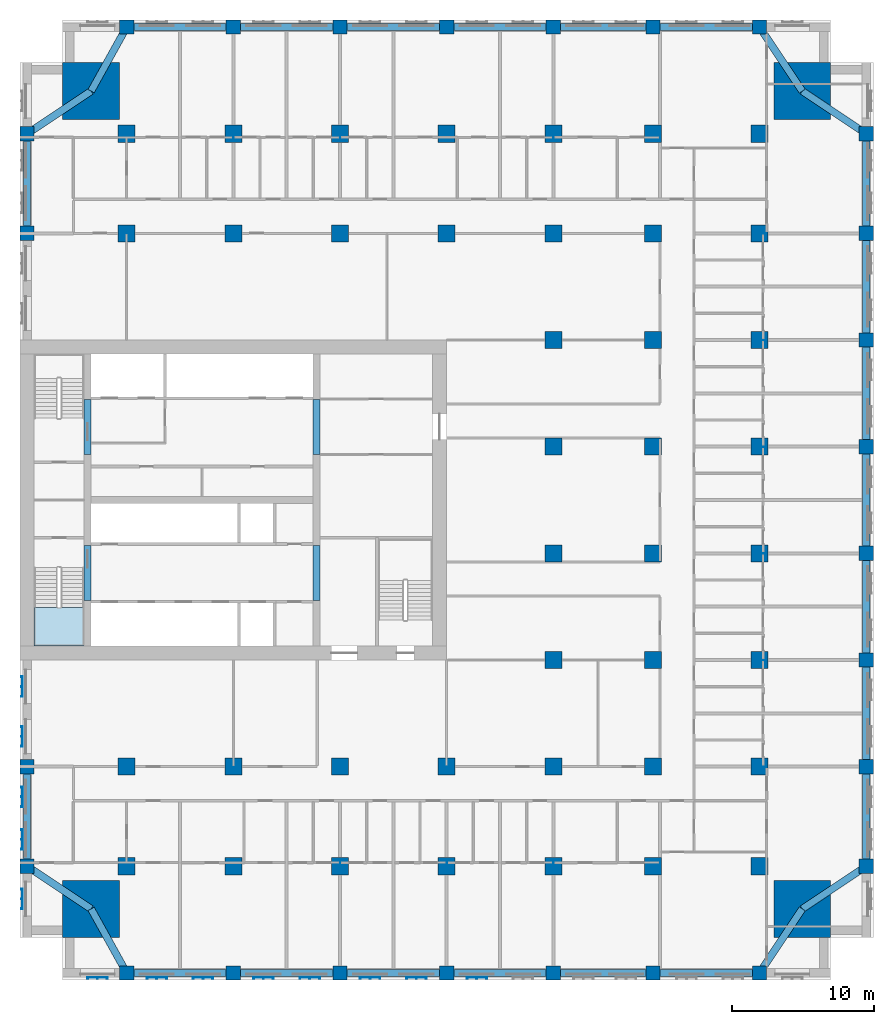
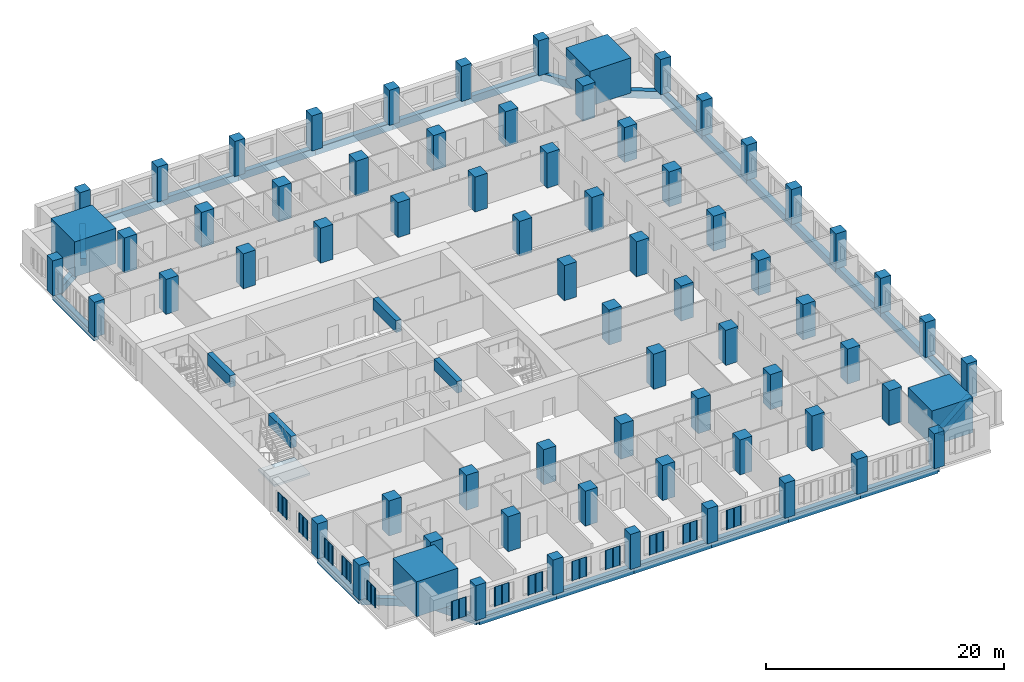
# One storey, part 1 of 15: 70 columns, 33 beams, 13 plates, 1 slab, 1 element without a shape of its own.
"""IFC4 building model written with IfcOpenShell, lengths in metres."""

from ifc_helpers import new_model, si_unit, direction, frame, origin, origin_2d, place, context, subcontext, project, spatial, polyline, rectangle, outline, extrude, material, layer, layer_set, material_profile, profile_set, type_object, element, aggregate, save


model = new_model("IFC4")

# Units and contexts
model_context = context("Model", 3, precision=1e-05, world=origin(), true_north=direction((0.0, 1.0)))
body_context = subcontext(model_context, "Body", "Model", "MODEL_VIEW")
ifc_project = project(units=[si_unit("LENGTHUNIT", "METRE"), si_unit("AREAUNIT", "SQUARE_METRE"), si_unit("VOLUMEUNIT", "CUBIC_METRE"), si_unit("PLANEANGLEUNIT", "RADIAN"), si_unit("MASSUNIT", "GRAM", prefix="KILO")], contexts=[model_context])

# Site, building, storey
site_placement = place(None, origin())
site = spatial("IfcSite", under=ifc_project, at=site_placement, CompositionType="ELEMENT")
building_placement = place(site_placement, origin())
building = spatial("IfcBuilding", under=site, at=building_placement, Name="Tamorin Gate", CompositionType="ELEMENT")
storey_placement = place(building_placement, frame((0.0, 0.0, 48.39990234375)))
storey = spatial("IfcBuildingStorey", under=building, at=storey_placement, Name="L10", CompositionType="ELEMENT", Elevation=48.39990234375)

# Columns
ifc_material_1 = material(Name="Concrete C80/95", Category="concrete")
ifc_material_profile_1 = material_profile(ifc_material_1, rectangle(XDim=1.0, YDim=1.0, at=origin_2d()), Name="RC 1000x1000")
ifc_profile_set_1 = profile_set([ifc_material_profile_1], Name="Concrete C80/95")
column_type_1 = type_object("IfcColumnType", Name="RC column 1000x1000 C80/95", PredefinedType="COLUMN", material=ifc_profile_set_1)
for number, where, z_axis, x_axis, name in (
    (1, (30.5, 45.5, 0.0), (0.0, 0.0, 1.0), (1.0, 0.0, 0.0), "Ring column L10"),
    (2, (30.5, 52.5, 0.0), (0.0, 0.0, 1.0), (1.0, 0.0, 0.0), "Ring column L10"),
    (3, (30.5, 90.0, 0.0), (0.0, 0.0, 1.0), (1.0, 0.0, 0.0), "Ring column L10"),
    (4, (30.5, 97.0, 0.0), (0.0, 0.0, 1.0), (1.0, 0.0, 0.0), "Ring column L10"),
    (5, (37.5, 38.0, 0.0), (0.0, 0.0, 1.0), (1.0, 0.0, 0.0), "Ring column L10"),
    (6, (37.5, 104.5, 0.0), (0.0, 0.0, 1.0), (1.0, 0.0, 0.0), "Ring column L10"),
    (7, (45.0, 38.0, 0.0), (0.0, 0.0, 1.0), (1.0, 0.0, 0.0), "Ring column L10"),
    (8, (45.0, 104.5, 0.0), (0.0, 0.0, 1.0), (1.0, 0.0, 0.0), "Ring column L10"),
    (9, (52.5, 38.0, 0.0), (0.0, 0.0, 1.0), (1.0, 0.0, 0.0), "Ring column L10"),
    (10, (52.5, 104.5, 0.0), (0.0, 0.0, 1.0), (1.0, 0.0, 0.0), "Ring column L10"),
    (11, (60.0, 38.0, 0.0), (0.0, 0.0, 1.0), (1.0, 0.0, 0.0), "Ring column L10"),
    (12, (60.0, 104.5, 0.0), (0.0, 0.0, 1.0), (1.0, 0.0, 0.0), "Ring column L10"),
    (13, (67.5, 38.0, 0.0), (0.0, 0.0, 1.0), (1.0, 0.0, 0.0), "Ring column L10"),
    (14, (67.5, 104.5, 0.0), (0.0, 0.0, 1.0), (1.0, 0.0, 0.0), "Ring column L10"),
    (15, (74.5, 38.0, 0.0), (0.0, 0.0, 1.0), (1.0, 0.0, 0.0), "Ring column L10"),
    (16, (74.5, 104.5, 0.0), (0.0, 0.0, 1.0), (1.0, 0.0, 0.0), "Ring column L10"),
    (17, (82.0, 38.0, 0.0), (0.0, 0.0, 1.0), (1.0, 0.0, 0.0), "Ring column L10"),
    (18, (82.0, 104.5, 0.0), (0.0, 0.0, 1.0), (1.0, 0.0, 0.0), "Ring column L10"),
    (19, (89.5, 45.5, 0.0), (0.0, 0.0, 1.0), (1.0, 0.0, 0.0), "Ring column L10"),
    (20, (89.5, 52.5, 0.0), (0.0, 0.0, 1.0), (1.0, 0.0, 0.0), "Ring column L10"),
    (21, (89.5, 60.0, 0.0), (0.0, 0.0, 1.0), (1.0, 0.0, 0.0), "Ring column L10"),
    (22, (89.5, 67.5, 0.0), (0.0, 0.0, 1.0), (1.0, 0.0, 0.0), "Ring column L10"),
    (23, (89.5, 75.0, 0.0), (0.0, 0.0, 1.0), (1.0, 0.0, 0.0), "Ring column L10"),
    (24, (89.5, 82.5, 0.0), (0.0, 0.0, 1.0), (1.0, 0.0, 0.0), "Ring column L10"),
    (25, (89.5, 90.0, 0.0), (0.0, 0.0, 1.0), (1.0, 0.0, 0.0), "Ring column L10"),
    (26, (89.5, 97.0, 0.0), (0.0, 0.0, 1.0), (1.0, 0.0, 0.0), "Ring column L10"),
):
    element("IfcColumn", number, at=place(storey_placement, frame(where, z_axis=z_axis, x_axis=x_axis)), inside=storey, type_object=column_type_1, Name=name, PredefinedType="COLUMN", context=body_context, shape_type="SweptSolid", body=[
        extrude(rectangle(XDim=1.0, YDim=1.0, at=origin_2d()), origin(), (0.0, 0.0, 1.0), 3.60009765625),
    ])
ifc_material_profile_2 = material_profile(ifc_material_1, rectangle(XDim=1.199951171875, YDim=1.199951171875, at=origin_2d()), Name="RC 1200x1200")
ifc_profile_set_2 = profile_set([ifc_material_profile_2], Name="Concrete C80/95")
column_type_2 = type_object("IfcColumnType", Name="RC column 1200x1200 C80/95", PredefinedType="COLUMN", material=ifc_profile_set_2)
for number, where, z_axis, x_axis, name in (
    (27, (37.5, 45.5, 0.0), (0.0, 0.0, 1.0), (1.0, 0.0, 0.0), "Interior column L10"),
    (28, (37.5, 52.5, 0.0), (0.0, 0.0, 1.0), (1.0, 0.0, 0.0), "Interior column L10"),
    (29, (37.5, 90.0, 0.0), (0.0, 0.0, 1.0), (1.0, 0.0, 0.0), "Interior column L10"),
    (30, (37.5, 97.0, 0.0), (0.0, 0.0, 1.0), (1.0, 0.0, 0.0), "Interior column L10"),
    (31, (45.0, 45.5, 0.0), (0.0, 0.0, 1.0), (1.0, 0.0, 0.0), "Interior column L10"),
    (32, (45.0, 52.5, 0.0), (0.0, 0.0, 1.0), (1.0, 0.0, 0.0), "Interior column L10"),
    (33, (45.0, 90.0, 0.0), (0.0, 0.0, 1.0), (1.0, 0.0, 0.0), "Interior column L10"),
    (34, (45.0, 97.0, 0.0), (0.0, 0.0, 1.0), (1.0, 0.0, 0.0), "Interior column L10"),
    (35, (52.5, 45.5, 0.0), (0.0, 0.0, 1.0), (1.0, 0.0, 0.0), "Interior column L10"),
    (36, (52.5, 52.5, 0.0), (0.0, 0.0, 1.0), (1.0, 0.0, 0.0), "Interior column L10"),
    (37, (52.5, 90.0, 0.0), (0.0, 0.0, 1.0), (1.0, 0.0, 0.0), "Interior column L10"),
    (38, (52.5, 97.0, 0.0), (0.0, 0.0, 1.0), (1.0, 0.0, 0.0), "Interior column L10"),
    (39, (60.0, 45.5, 0.0), (0.0, 0.0, 1.0), (1.0, 0.0, 0.0), "Interior column L10"),
    (40, (60.0, 52.5, 0.0), (0.0, 0.0, 1.0), (1.0, 0.0, 0.0), "Interior column L10"),
    (41, (60.0, 90.0, 0.0), (0.0, 0.0, 1.0), (1.0, 0.0, 0.0), "Interior column L10"),
    (42, (60.0, 97.0, 0.0), (0.0, 0.0, 1.0), (1.0, 0.0, 0.0), "Interior column L10"),
    (43, (67.5, 45.5, 0.0), (0.0, 0.0, 1.0), (1.0, 0.0, 0.0), "Interior column L10"),
    (44, (67.5, 52.5, 0.0), (0.0, 0.0, 1.0), (1.0, 0.0, 0.0), "Interior column L10"),
    (45, (67.5, 60.0, 0.0), (0.0, 0.0, 1.0), (1.0, 0.0, 0.0), "Interior column L10"),
    (46, (67.5, 67.5, 0.0), (0.0, 0.0, 1.0), (1.0, 0.0, 0.0), "Interior column L10"),
    (47, (67.5, 75.0, 0.0), (0.0, 0.0, 1.0), (1.0, 0.0, 0.0), "Interior column L10"),
    (48, (67.5, 82.5, 0.0), (0.0, 0.0, 1.0), (1.0, 0.0, 0.0), "Interior column L10"),
    (49, (67.5, 90.0, 0.0), (0.0, 0.0, 1.0), (1.0, 0.0, 0.0), "Interior column L10"),
    (50, (67.5, 97.0, 0.0), (0.0, 0.0, 1.0), (1.0, 0.0, 0.0), "Interior column L10"),
    (51, (74.5, 45.5, 0.0), (0.0, 0.0, 1.0), (1.0, 0.0, 0.0), "Interior column L10"),
    (52, (74.5, 52.5, 0.0), (0.0, 0.0, 1.0), (1.0, 0.0, 0.0), "Interior column L10"),
    (53, (74.5, 60.0, 0.0), (0.0, 0.0, 1.0), (1.0, 0.0, 0.0), "Interior column L10"),
    (54, (74.5, 67.5, 0.0), (0.0, 0.0, 1.0), (1.0, 0.0, 0.0), "Interior column L10"),
    (55, (74.5, 75.0, 0.0), (0.0, 0.0, 1.0), (1.0, 0.0, 0.0), "Interior column L10"),
    (56, (74.5, 82.5, 0.0), (0.0, 0.0, 1.0), (1.0, 0.0, 0.0), "Interior column L10"),
    (57, (74.5, 90.0, 0.0), (0.0, 0.0, 1.0), (1.0, 0.0, 0.0), "Interior column L10"),
    (58, (74.5, 97.0, 0.0), (0.0, 0.0, 1.0), (1.0, 0.0, 0.0), "Interior column L10"),
    (59, (82.0, 45.5, 0.0), (0.0, 0.0, 1.0), (1.0, 0.0, 0.0), "Interior column L10"),
    (60, (82.0, 52.5, 0.0), (0.0, 0.0, 1.0), (1.0, 0.0, 0.0), "Interior column L10"),
    (61, (82.0, 60.0, 0.0), (0.0, 0.0, 1.0), (1.0, 0.0, 0.0), "Interior column L10"),
    (62, (82.0, 67.5, 0.0), (0.0, 0.0, 1.0), (1.0, 0.0, 0.0), "Interior column L10"),
    (63, (82.0, 75.0, 0.0), (0.0, 0.0, 1.0), (1.0, 0.0, 0.0), "Interior column L10"),
    (64, (82.0, 82.5, 0.0), (0.0, 0.0, 1.0), (1.0, 0.0, 0.0), "Interior column L10"),
    (65, (82.0, 90.0, 0.0), (0.0, 0.0, 1.0), (1.0, 0.0, 0.0), "Interior column L10"),
    (66, (82.0, 97.0, 0.0), (0.0, 0.0, 1.0), (1.0, 0.0, 0.0), "Interior column L10"),
):
    element("IfcColumn", number, at=place(storey_placement, frame(where, z_axis=z_axis, x_axis=x_axis)), inside=storey, type_object=column_type_2, Name=name, PredefinedType="COLUMN", context=body_context, shape_type="SweptSolid", body=[
        extrude(rectangle(XDim=1.199951171875, YDim=1.199951171875, at=origin_2d()), origin(), (0.0, 0.0, 1.0), 3.60009765625),
    ])
ifc_material_profile_3 = material_profile(ifc_material_1, rectangle(XDim=4.0, YDim=4.0, at=origin_2d()), Name="RC 4000x4000")
ifc_profile_set_3 = profile_set([ifc_material_profile_3], Name="Concrete C80/95")
column_type_3 = type_object("IfcColumnType", Name="RC column 4000x4000 C80/95", PredefinedType="COLUMN", material=ifc_profile_set_3)
for number, where, z_axis, x_axis, name in (
    (67, (35.0, 42.5, 0.0), (0.0, 0.0, 1.0), (1.0, 0.0, 0.0), "Mega column SW L10"),
    (68, (85.0, 42.5, 0.0), (0.0, 0.0, 1.0), (1.0, 0.0, 0.0), "Mega column SE L10"),
    (69, (35.0, 100.0, 0.0), (0.0, 0.0, 1.0), (1.0, 0.0, 0.0), "Mega column NW L10"),
    (70, (85.0, 100.0, 0.0), (0.0, 0.0, 1.0), (1.0, 0.0, 0.0), "Mega column NE L10"),
):
    element("IfcColumn", number, at=place(storey_placement, frame(where, z_axis=z_axis, x_axis=x_axis)), inside=storey, type_object=column_type_3, Name=name, PredefinedType="COLUMN", context=body_context, shape_type="SweptSolid", body=[
        extrude(rectangle(XDim=4.0, YDim=4.0, at=origin_2d()), origin(), (0.0, 0.0, 1.0), 3.60009765625),
    ])

# Beams
ifc_material_profile_4 = material_profile(ifc_material_1, rectangle(XDim=0.5, YDim=1.199951171875, at=origin_2d()), Name="RC 500x1200")
ifc_profile_set_4 = profile_set([ifc_material_profile_4], Name="Concrete C80/95")
beam_type_1 = type_object("IfcBeamType", Name="RC coupling beam 500x1200 C80/95", PredefinedType="BEAM", material=ifc_profile_set_4)
for number, where, z_axis, x_axis, name in (
    (71, (34.75, 64.199951171875, 3.0), (0.0, 1.0, 0.0), (-1.0, 0.0, 0.0), "Coupling beam L10"),
    (72, (34.75, 74.449951171875, 3.0), (0.0, 1.0, 0.0), (-1.0, 0.0, 0.0), "Coupling beam L10"),
    (73, (50.85009765625, 64.199951171875, 3.0), (0.0, 1.0, 0.0), (-1.0, 0.0, 0.0), "Coupling beam L10"),
    (74, (50.85009765625, 74.449951171875, 3.0), (0.0, 1.0, 0.0), (-1.0, 0.0, 0.0), "Coupling beam L10"),
):
    element("IfcBeam", number, at=place(storey_placement, frame(where, z_axis=z_axis, x_axis=x_axis)), inside=storey, type_object=beam_type_1, Name=name, PredefinedType="BEAM", context=body_context, shape_type="SweptSolid", body=[
        extrude(rectangle(XDim=0.5, YDim=1.199951171875, at=origin_2d()), origin(), (0.0, 0.0, 1.0), 3.85009765625),
    ])
ifc_material_2 = material(Name="Concrete C50/60", Category="concrete")
ifc_material_profile_5 = material_profile(ifc_material_2, rectangle(XDim=0.5, YDim=0.75, at=origin_2d()), Name="RC 500x750")
ifc_profile_set_5 = profile_set([ifc_material_profile_5], Name="Concrete C50/60")
beam_type_2 = type_object("IfcBeamType", Name="RC spandrel 500x750 C50/60", PredefinedType="BEAM", material=ifc_profile_set_5)
for number, where, z_axis, x_axis, name in (
    (75, (37.5, 38.0, -0.375), (1.0, 0.0, 0.0), (0.0, 1.0, 0.0), "Spandrel beam L10"),
    (76, (45.0, 38.0, -0.375), (1.0, 0.0, 0.0), (0.0, 1.0, 0.0), "Spandrel beam L10"),
    (77, (52.5, 38.0, -0.375), (1.0, 0.0, 0.0), (0.0, 1.0, 0.0), "Spandrel beam L10"),
    (78, (60.0, 38.0, -0.375), (1.0, 0.0, 0.0), (0.0, 1.0, 0.0), "Spandrel beam L10"),
):
    element("IfcBeam", number, at=place(storey_placement, frame(where, z_axis=z_axis, x_axis=x_axis)), inside=storey, type_object=beam_type_2, Name=name, PredefinedType="BEAM", context=body_context, shape_type="SweptSolid", body=[
        extrude(rectangle(XDim=0.5, YDim=0.75, at=origin_2d()), origin(), (0.0, 0.0, 1.0), 7.5),
    ])
beam_1_placement = place(storey_placement, frame((67.5, 38.0, -0.375), z_axis=(1.0, 0.0, 0.0), x_axis=(0.0, 1.0, 0.0)))
element("IfcBeam", 79, at=beam_1_placement, inside=storey, type_object=beam_type_2, Name="Spandrel beam L10", PredefinedType="BEAM", context=body_context, shape_type="SweptSolid", body=[
    extrude(rectangle(XDim=0.5, YDim=0.75, at=origin_2d()), origin(), (0.0, 0.0, 1.0), 7.0),
])
beam_2_placement = place(storey_placement, frame((74.5, 38.0, -0.375), z_axis=(1.0, 0.0, 0.0), x_axis=(0.0, 1.0, 0.0)))
element("IfcBeam", 80, at=beam_2_placement, inside=storey, type_object=beam_type_2, Name="Spandrel beam L10", PredefinedType="BEAM", context=body_context, shape_type="SweptSolid", body=[
    extrude(rectangle(XDim=0.5, YDim=0.75, at=origin_2d()), origin(), (0.0, 0.0, 1.0), 7.5),
])
beam_3_placement = place(storey_placement, frame((89.5, 45.5, -0.375), z_axis=(0.0, 1.0, 0.0), x_axis=(-1.0, 0.0, 0.0)))
element("IfcBeam", 81, at=beam_3_placement, inside=storey, type_object=beam_type_2, Name="Spandrel beam L10", PredefinedType="BEAM", context=body_context, shape_type="SweptSolid", body=[
    extrude(rectangle(XDim=0.5, YDim=0.75, at=origin_2d()), origin(), (0.0, 0.0, 1.0), 7.0),
])
for number, where, z_axis, x_axis, name in (
    (82, (89.5, 52.5, -0.375), (0.0, 1.0, 0.0), (-1.0, 0.0, 0.0), "Spandrel beam L10"),
    (83, (89.5, 60.0, -0.375), (0.0, 1.0, 0.0), (-1.0, 0.0, 0.0), "Spandrel beam L10"),
    (84, (89.5, 67.5, -0.375), (0.0, 1.0, 0.0), (-1.0, 0.0, 0.0), "Spandrel beam L10"),
    (85, (89.5, 75.0, -0.375), (0.0, 1.0, 0.0), (-1.0, 0.0, 0.0), "Spandrel beam L10"),
    (86, (89.5, 82.5, -0.375), (0.0, 1.0, 0.0), (-1.0, 0.0, 0.0), "Spandrel beam L10"),
):
    element("IfcBeam", number, at=place(storey_placement, frame(where, z_axis=z_axis, x_axis=x_axis)), inside=storey, type_object=beam_type_2, Name=name, PredefinedType="BEAM", context=body_context, shape_type="SweptSolid", body=[
        extrude(rectangle(XDim=0.5, YDim=0.75, at=origin_2d()), origin(), (0.0, 0.0, 1.0), 7.5),
    ])
beam_4_placement = place(storey_placement, frame((89.5, 90.0, -0.375), z_axis=(0.0, 1.0, 0.0), x_axis=(-1.0, 0.0, 0.0)))
element("IfcBeam", 87, at=beam_4_placement, inside=storey, type_object=beam_type_2, Name="Spandrel beam L10", PredefinedType="BEAM", context=body_context, shape_type="SweptSolid", body=[
    extrude(rectangle(XDim=0.5, YDim=0.75, at=origin_2d()), origin(), (0.0, 0.0, 1.0), 7.0),
])
beam_5_placement = place(storey_placement, frame((82.0, 104.5, -0.375), z_axis=(-1.0, 0.0, 0.0), x_axis=(0.0, -1.0, 0.0)))
element("IfcBeam", 88, at=beam_5_placement, inside=storey, type_object=beam_type_2, Name="Spandrel beam L10", PredefinedType="BEAM", context=body_context, shape_type="SweptSolid", body=[
    extrude(rectangle(XDim=0.5, YDim=0.75, at=origin_2d()), origin(), (0.0, 0.0, 1.0), 7.5),
])
beam_6_placement = place(storey_placement, frame((74.5, 104.5, -0.375), z_axis=(-1.0, 0.0, 0.0), x_axis=(0.0, -1.0, 0.0)))
element("IfcBeam", 89, at=beam_6_placement, inside=storey, type_object=beam_type_2, Name="Spandrel beam L10", PredefinedType="BEAM", context=body_context, shape_type="SweptSolid", body=[
    extrude(rectangle(XDim=0.5, YDim=0.75, at=origin_2d()), origin(), (0.0, 0.0, 1.0), 7.0),
])
for number, where, z_axis, x_axis, name in (
    (90, (67.5, 104.5, -0.375), (-1.0, 0.0, 0.0), (0.0, -1.0, 0.0), "Spandrel beam L10"),
    (91, (60.0, 104.5, -0.375), (-1.0, 0.0, 0.0), (0.0, -1.0, 0.0), "Spandrel beam L10"),
    (92, (52.5, 104.5, -0.375), (-1.0, 0.0, 0.0), (0.0, -1.0, 0.0), "Spandrel beam L10"),
    (93, (45.0, 104.5, -0.375), (-1.0, 0.0, 0.0), (0.0, -1.0, 0.0), "Spandrel beam L10"),
):
    element("IfcBeam", number, at=place(storey_placement, frame(where, z_axis=z_axis, x_axis=x_axis)), inside=storey, type_object=beam_type_2, Name=name, PredefinedType="BEAM", context=body_context, shape_type="SweptSolid", body=[
        extrude(rectangle(XDim=0.5, YDim=0.75, at=origin_2d()), origin(), (0.0, 0.0, 1.0), 7.5),
    ])
for number, where, z_axis, x_axis, name in (
    (94, (30.5, 97.0, -0.375), (0.0, -1.0, 0.0), (1.0, 0.0, 0.0), "Spandrel beam L10"),
    (95, (30.5, 52.5, -0.375), (0.0, -1.0, 0.0), (1.0, 0.0, 0.0), "Spandrel beam L10"),
):
    element("IfcBeam", number, at=place(storey_placement, frame(where, z_axis=z_axis, x_axis=x_axis)), inside=storey, type_object=beam_type_2, Name=name, PredefinedType="BEAM", context=body_context, shape_type="SweptSolid", body=[
        extrude(rectangle(XDim=0.5, YDim=0.75, at=origin_2d()), origin(), (0.0, 0.0, 1.0), 7.0),
    ])
beam_7_placement = place(storey_placement, frame((35.0, 42.5, -0.375), z_axis=(0.485642931179, -0.874157276122, 0.0), x_axis=(0.874157276122, 0.485642931179, 0.0)))
element("IfcBeam", 96, at=beam_7_placement, inside=storey, type_object=beam_type_2, Name="Corner tie beam L10", PredefinedType="BEAM", context=body_context, shape_type="SweptSolid", body=[
    extrude(rectangle(XDim=0.5, YDim=0.75, at=origin_2d()), origin(), (0.0, 0.0, 1.0), 5.147705078125),
])
for number, where, z_axis, x_axis, name in (
    (97, (35.0, 42.5, -0.375), (-0.832050294338, 0.554700196225, 0.0), (-0.554700196225, -0.832050294338, 0.0), "Corner tie beam L10"),
    (98, (85.0, 42.5, -0.375), (-0.554700196225, -0.832050294338, 0.0), (0.832050294338, -0.554700196225, 0.0), "Corner tie beam L10"),
    (99, (85.0, 42.5, -0.375), (0.832050294338, 0.554700196225, 0.0), (-0.554700196225, 0.832050294338, 0.0), "Corner tie beam L10"),
):
    element("IfcBeam", number, at=place(storey_placement, frame(where, z_axis=z_axis, x_axis=x_axis)), inside=storey, type_object=beam_type_2, Name=name, PredefinedType="BEAM", context=body_context, shape_type="SweptSolid", body=[
        extrude(rectangle(XDim=0.5, YDim=0.75, at=origin_2d()), origin(), (0.0, 0.0, 1.0), 5.408447265625),
    ])
beam_8_placement = place(storey_placement, frame((35.0, 100.0, -0.375), z_axis=(0.485642931179, 0.874157276122, 0.0), x_axis=(-0.874157276122, 0.485642931179, 0.0)))
element("IfcBeam", 100, at=beam_8_placement, inside=storey, type_object=beam_type_2, Name="Corner tie beam L10", PredefinedType="BEAM", context=body_context, shape_type="SweptSolid", body=[
    extrude(rectangle(XDim=0.5, YDim=0.75, at=origin_2d()), origin(), (0.0, 0.0, 1.0), 5.147705078125),
])
for number, where, z_axis, x_axis, name in (
    (101, (35.0, 100.0, -0.375), (-0.832050294338, -0.554700196225, 0.0), (0.554700196225, -0.832050294338, 0.0), "Corner tie beam L10"),
    (102, (85.0, 100.0, -0.375), (-0.554700196225, 0.832050294338, 0.0), (-0.832050294338, -0.554700196225, 0.0), "Corner tie beam L10"),
    (103, (85.0, 100.0, -0.375), (0.832050294338, -0.554700196225, 0.0), (0.554700196225, 0.832050294338, 0.0), "Corner tie beam L10"),
):
    element("IfcBeam", number, at=place(storey_placement, frame(where, z_axis=z_axis, x_axis=x_axis)), inside=storey, type_object=beam_type_2, Name=name, PredefinedType="BEAM", context=body_context, shape_type="SweptSolid", body=[
        extrude(rectangle(XDim=0.5, YDim=0.75, at=origin_2d()), origin(), (0.0, 0.0, 1.0), 5.408447265625),
    ])

# Stair, slab
ifc_material_3 = material(Name="Concrete C40/50", Category="concrete")
stair_type = type_object("IfcStairType", Name="Exit stair", PredefinedType="HALF_TURN_STAIR", material=ifc_material_3)
stair_placement = place(storey_placement, origin())
stair = element("IfcStair", 104, at=stair_placement, inside=storey, type_object=stair_type, Name="L10 stair ST1", PredefinedType="HALF_TURN_STAIR")
ifc_layer_1 = layer(ifc_material_3, 0.199951171875)
ifc_layer_set_1 = layer_set([ifc_layer_1], Name="Exit stair landing 200")
slab_type = type_object("IfcSlabType", Name="Exit stair landing 200", PredefinedType="LANDING", material=ifc_layer_set_1)
slab_placement = place(storey_placement, frame((0.0, 0.0, 1.60009765625)))
slab = element("IfcSlab", 105, at=slab_placement, type_object=slab_type, Name="ST1 landing 1", PredefinedType="LANDING", context=body_context, shape_type="SweptSolid", body=[
    extrude(outline(polyline([(31.0, 63.699951171875), (31.0, 61.0), (34.5, 61.0), (34.5, 63.699951171875), (31.0, 63.699951171875)])), origin(), (0.0, 0.0, 1.0), 0.199951171875),
])
aggregate(stair, [slab])

# Plates
ifc_material_4 = material(Name="Perforated pale aluminium sheet", Category="aluminium")
ifc_layer_2 = layer(ifc_material_4, 0.0400390625)
ifc_layer_set_2 = layer_set([ifc_layer_2], Name="Pale metal solar screen 1440")
plate_type = type_object("IfcPlateType", Name="Pale metal solar screen 1440", PredefinedType="SHEET", material=ifc_layer_set_2)
plate_1_placement = place(storey_placement, frame((0.0, 0.0, 0.710205078125)))
element("IfcPlate", 106, at=plate_1_placement, inside=storey, type_object=plate_type, Name="Perforated solar screen", PredefinedType="SHEET", context=body_context, shape_type="SweptSolid", body=[
    extrude(outline(polyline([(34.72998046875, 37.659912109375), (34.72998046875, 37.699951171875), (34.7900390625, 37.699951171875), (35.419921875, 37.699951171875), (35.47998046875, 37.699951171875), (36.110107421875, 37.699951171875), (36.169921875, 37.699951171875), (36.169921875, 37.659912109375), (36.169921875, 37.60009765625), (36.110107421875, 37.60009765625), (36.110107421875, 37.659912109375), (35.47998046875, 37.659912109375), (35.47998046875, 37.60009765625), (35.419921875, 37.60009765625), (35.419921875, 37.659912109375), (34.7900390625, 37.659912109375), (34.7900390625, 37.60009765625), (34.72998046875, 37.60009765625), (34.72998046875, 37.659912109375)])), origin(), (0.0, 0.0, 1.0), 1.97998046875),
])
plate_2_placement = place(storey_placement, frame((0.0, 0.0, 0.710205078125)))
element("IfcPlate", 107, at=plate_2_placement, inside=storey, type_object=plate_type, Name="Perforated solar screen", PredefinedType="SHEET", context=body_context, shape_type="SweptSolid", body=[
    extrude(outline(polyline([(38.905029296875, 37.659912109375), (38.905029296875, 37.699951171875), (38.965087890625, 37.699951171875), (39.594970703125, 37.699951171875), (39.655029296875, 37.699951171875), (40.284912109375, 37.699951171875), (40.344970703125, 37.699951171875), (40.344970703125, 37.699951171875), (40.344970703125, 37.659912109375), (40.344970703125, 37.659912109375), (40.344970703125, 37.60009765625), (40.284912109375, 37.60009765625), (40.284912109375, 37.659912109375), (39.655029296875, 37.659912109375), (39.655029296875, 37.60009765625), (39.594970703125, 37.60009765625), (39.594970703125, 37.659912109375), (38.965087890625, 37.659912109375), (38.965087890625, 37.60009765625), (38.905029296875, 37.60009765625), (38.905029296875, 37.659912109375)])), origin(), (0.0, 0.0, 1.0), 1.97998046875),
])
plate_3_placement = place(storey_placement, frame((0.0, 0.0, 0.710205078125)))
element("IfcPlate", 108, at=plate_3_placement, inside=storey, type_object=plate_type, Name="Perforated solar screen", PredefinedType="SHEET", context=body_context, shape_type="SweptSolid", body=[
    extrude(outline(polyline([(42.155029296875, 37.659912109375), (42.155029296875, 37.699951171875), (42.215087890625, 37.699951171875), (42.844970703125, 37.699951171875), (42.905029296875, 37.699951171875), (43.534912109375, 37.699951171875), (43.594970703125, 37.699951171875), (43.594970703125, 37.659912109375), (43.594970703125, 37.60009765625), (43.534912109375, 37.60009765625), (43.534912109375, 37.659912109375), (42.905029296875, 37.659912109375), (42.905029296875, 37.60009765625), (42.844970703125, 37.60009765625), (42.844970703125, 37.659912109375), (42.215087890625, 37.659912109375), (42.215087890625, 37.60009765625), (42.155029296875, 37.60009765625), (42.155029296875, 37.659912109375)])), origin(), (0.0, 0.0, 1.0), 1.97998046875),
])
plate_4_placement = place(storey_placement, frame((0.0, 0.0, 0.710205078125)))
element("IfcPlate", 109, at=plate_4_placement, inside=storey, type_object=plate_type, Name="Perforated solar screen", PredefinedType="SHEET", context=body_context, shape_type="SweptSolid", body=[
    extrude(outline(polyline([(46.405029296875, 37.659912109375), (46.405029296875, 37.699951171875), (46.465087890625, 37.699951171875), (47.094970703125, 37.699951171875), (47.155029296875, 37.699951171875), (47.784912109375, 37.699951171875), (47.844970703125, 37.699951171875), (47.844970703125, 37.659912109375), (47.844970703125, 37.60009765625), (47.784912109375, 37.60009765625), (47.784912109375, 37.659912109375), (47.155029296875, 37.659912109375), (47.155029296875, 37.60009765625), (47.094970703125, 37.60009765625), (47.094970703125, 37.659912109375), (46.465087890625, 37.659912109375), (46.465087890625, 37.60009765625), (46.405029296875, 37.60009765625), (46.405029296875, 37.659912109375)])), origin(), (0.0, 0.0, 1.0), 1.97998046875),
])
plate_5_placement = place(storey_placement, frame((0.0, 0.0, 0.710205078125)))
element("IfcPlate", 110, at=plate_5_placement, inside=storey, type_object=plate_type, Name="Perforated solar screen", PredefinedType="SHEET", context=body_context, shape_type="SweptSolid", body=[
    extrude(outline(polyline([(49.655029296875, 37.659912109375), (49.655029296875, 37.699951171875), (49.715087890625, 37.699951171875), (50.344970703125, 37.699951171875), (50.405029296875, 37.699951171875), (51.034912109375, 37.699951171875), (51.094970703125, 37.699951171875), (51.094970703125, 37.659912109375), (51.094970703125, 37.60009765625), (51.034912109375, 37.60009765625), (51.034912109375, 37.659912109375), (50.405029296875, 37.659912109375), (50.405029296875, 37.60009765625), (50.344970703125, 37.60009765625), (50.344970703125, 37.659912109375), (49.715087890625, 37.659912109375), (49.715087890625, 37.60009765625), (49.655029296875, 37.60009765625), (49.655029296875, 37.659912109375)])), origin(), (0.0, 0.0, 1.0), 1.97998046875),
])
plate_6_placement = place(storey_placement, frame((0.0, 0.0, 0.710205078125)))
element("IfcPlate", 111, at=plate_6_placement, inside=storey, type_object=plate_type, Name="Perforated solar screen", PredefinedType="SHEET", context=body_context, shape_type="SweptSolid", body=[
    extrude(outline(polyline([(53.905029296875, 37.659912109375), (53.905029296875, 37.699951171875), (53.965087890625, 37.699951171875), (54.594970703125, 37.699951171875), (54.655029296875, 37.699951171875), (55.284912109375, 37.699951171875), (55.344970703125, 37.699951171875), (55.344970703125, 37.659912109375), (55.344970703125, 37.60009765625), (55.284912109375, 37.60009765625), (55.284912109375, 37.659912109375), (54.655029296875, 37.659912109375), (54.655029296875, 37.60009765625), (54.594970703125, 37.60009765625), (54.594970703125, 37.659912109375), (53.965087890625, 37.659912109375), (53.965087890625, 37.60009765625), (53.905029296875, 37.60009765625), (53.905029296875, 37.659912109375)])), origin(), (0.0, 0.0, 1.0), 1.97998046875),
])
plate_7_placement = place(storey_placement, frame((0.0, 0.0, 0.710205078125)))
element("IfcPlate", 112, at=plate_7_placement, inside=storey, type_object=plate_type, Name="Perforated solar screen", PredefinedType="SHEET", context=body_context, shape_type="SweptSolid", body=[
    extrude(outline(polyline([(57.155029296875, 37.659912109375), (57.155029296875, 37.699951171875), (57.215087890625, 37.699951171875), (57.844970703125, 37.699951171875), (57.905029296875, 37.699951171875), (58.534912109375, 37.699951171875), (58.594970703125, 37.699951171875), (58.594970703125, 37.659912109375), (58.594970703125, 37.60009765625), (58.534912109375, 37.60009765625), (58.534912109375, 37.659912109375), (57.905029296875, 37.659912109375), (57.905029296875, 37.60009765625), (57.844970703125, 37.60009765625), (57.844970703125, 37.659912109375), (57.215087890625, 37.659912109375), (57.215087890625, 37.60009765625), (57.155029296875, 37.60009765625), (57.155029296875, 37.659912109375)])), origin(), (0.0, 0.0, 1.0), 1.97998046875),
])
plate_8_placement = place(storey_placement, frame((0.0, 0.0, 0.710205078125)))
element("IfcPlate", 113, at=plate_8_placement, inside=storey, type_object=plate_type, Name="Perforated solar screen", PredefinedType="SHEET", context=body_context, shape_type="SweptSolid", body=[
    extrude(outline(polyline([(61.405029296875, 37.659912109375), (61.405029296875, 37.699951171875), (61.465087890625, 37.699951171875), (62.094970703125, 37.699951171875), (62.155029296875, 37.699951171875), (62.784912109375, 37.699951171875), (62.844970703125, 37.699951171875), (62.844970703125, 37.659912109375), (62.844970703125, 37.60009765625), (62.784912109375, 37.60009765625), (62.784912109375, 37.659912109375), (62.155029296875, 37.659912109375), (62.155029296875, 37.60009765625), (62.094970703125, 37.60009765625), (62.094970703125, 37.659912109375), (61.465087890625, 37.659912109375), (61.465087890625, 37.60009765625), (61.405029296875, 37.60009765625), (61.405029296875, 37.659912109375)])), origin(), (0.0, 0.0, 1.0), 1.97998046875),
])
plate_9_placement = place(storey_placement, frame((0.0, 0.0, 0.710205078125)))
element("IfcPlate", 114, at=plate_9_placement, inside=storey, type_object=plate_type, Name="Perforated solar screen", PredefinedType="SHEET", context=body_context, shape_type="SweptSolid", body=[
    extrude(outline(polyline([(30.159912109375, 55.344970703125), (30.199951171875, 55.344970703125), (30.199951171875, 55.284912109375), (30.199951171875, 54.655029296875), (30.199951171875, 54.594970703125), (30.199951171875, 53.965087890625), (30.199951171875, 53.905029296875), (30.159912109375, 53.905029296875), (30.10009765625, 53.905029296875), (30.10009765625, 53.965087890625), (30.159912109375, 53.965087890625), (30.159912109375, 54.594970703125), (30.10009765625, 54.594970703125), (30.10009765625, 54.655029296875), (30.159912109375, 54.655029296875), (30.159912109375, 55.284912109375), (30.10009765625, 55.284912109375), (30.10009765625, 55.344970703125), (30.159912109375, 55.344970703125)])), origin(), (0.0, 0.0, 1.0), 1.97998046875),
])
plate_10_placement = place(storey_placement, frame((0.0, 0.0, 0.710205078125)))
element("IfcPlate", 115, at=plate_10_placement, inside=storey, type_object=plate_type, Name="Perforated solar screen", PredefinedType="SHEET", context=body_context, shape_type="SweptSolid", body=[
    extrude(outline(polyline([(30.159912109375, 58.844970703125), (30.199951171875, 58.844970703125), (30.199951171875, 58.784912109375), (30.199951171875, 58.155029296875), (30.199951171875, 58.094970703125), (30.199951171875, 57.465087890625), (30.199951171875, 57.405029296875), (30.159912109375, 57.405029296875), (30.10009765625, 57.405029296875), (30.10009765625, 57.465087890625), (30.159912109375, 57.465087890625), (30.159912109375, 58.094970703125), (30.10009765625, 58.094970703125), (30.10009765625, 58.155029296875), (30.159912109375, 58.155029296875), (30.159912109375, 58.784912109375), (30.10009765625, 58.784912109375), (30.10009765625, 58.844970703125), (30.159912109375, 58.844970703125)])), origin(), (0.0, 0.0, 1.0), 1.97998046875),
])
plate_11_placement = place(storey_placement, frame((0.0, 0.0, 0.710205078125)))
element("IfcPlate", 116, at=plate_11_placement, inside=storey, type_object=plate_type, Name="Perforated solar screen", PredefinedType="SHEET", context=body_context, shape_type="SweptSolid", body=[
    extrude(outline(polyline([(30.159912109375, 48.094970703125), (30.199951171875, 48.094970703125), (30.199951171875, 48.034912109375), (30.199951171875, 47.405029296875), (30.199951171875, 47.344970703125), (30.199951171875, 46.715087890625), (30.199951171875, 46.655029296875), (30.159912109375, 46.655029296875), (30.10009765625, 46.655029296875), (30.10009765625, 46.715087890625), (30.159912109375, 46.715087890625), (30.159912109375, 47.344970703125), (30.10009765625, 47.344970703125), (30.10009765625, 47.405029296875), (30.159912109375, 47.405029296875), (30.159912109375, 48.034912109375), (30.10009765625, 48.034912109375), (30.10009765625, 48.094970703125), (30.159912109375, 48.094970703125)])), origin(), (0.0, 0.0, 1.0), 1.97998046875),
])
plate_12_placement = place(storey_placement, frame((0.0, 0.0, 0.710205078125)))
element("IfcPlate", 117, at=plate_12_placement, inside=storey, type_object=plate_type, Name="Perforated solar screen", PredefinedType="SHEET", context=body_context, shape_type="SweptSolid", body=[
    extrude(outline(polyline([(30.159912109375, 51.094970703125), (30.199951171875, 51.094970703125), (30.199951171875, 51.034912109375), (30.199951171875, 50.405029296875), (30.199951171875, 50.344970703125), (30.199951171875, 49.715087890625), (30.199951171875, 49.655029296875), (30.159912109375, 49.655029296875), (30.10009765625, 49.655029296875), (30.10009765625, 49.715087890625), (30.159912109375, 49.715087890625), (30.159912109375, 50.344970703125), (30.10009765625, 50.344970703125), (30.10009765625, 50.405029296875), (30.159912109375, 50.405029296875), (30.159912109375, 51.034912109375), (30.10009765625, 51.034912109375), (30.10009765625, 51.094970703125), (30.159912109375, 51.094970703125)])), origin(), (0.0, 0.0, 1.0), 1.97998046875),
])
plate_13_placement = place(storey_placement, frame((0.0, 0.0, 0.710205078125)))
element("IfcPlate", 118, at=plate_13_placement, inside=storey, type_object=plate_type, Name="Perforated solar screen", PredefinedType="SHEET", context=body_context, shape_type="SweptSolid", body=[
    extrude(outline(polyline([(30.159912109375, 43.919921875), (30.199951171875, 43.919921875), (30.199951171875, 43.860107421875), (30.199951171875, 43.22998046875), (30.199951171875, 43.169921875), (30.199951171875, 42.5400390625), (30.199951171875, 42.47998046875), (30.159912109375, 42.47998046875), (30.10009765625, 42.47998046875), (30.10009765625, 42.5400390625), (30.159912109375, 42.5400390625), (30.159912109375, 43.169921875), (30.10009765625, 43.169921875), (30.10009765625, 43.22998046875), (30.159912109375, 43.22998046875), (30.159912109375, 43.860107421875), (30.10009765625, 43.860107421875), (30.10009765625, 43.919921875), (30.159912109375, 43.919921875)])), origin(), (0.0, 0.0, 1.0), 1.97998046875),
])

save(model, "model.ifc")
